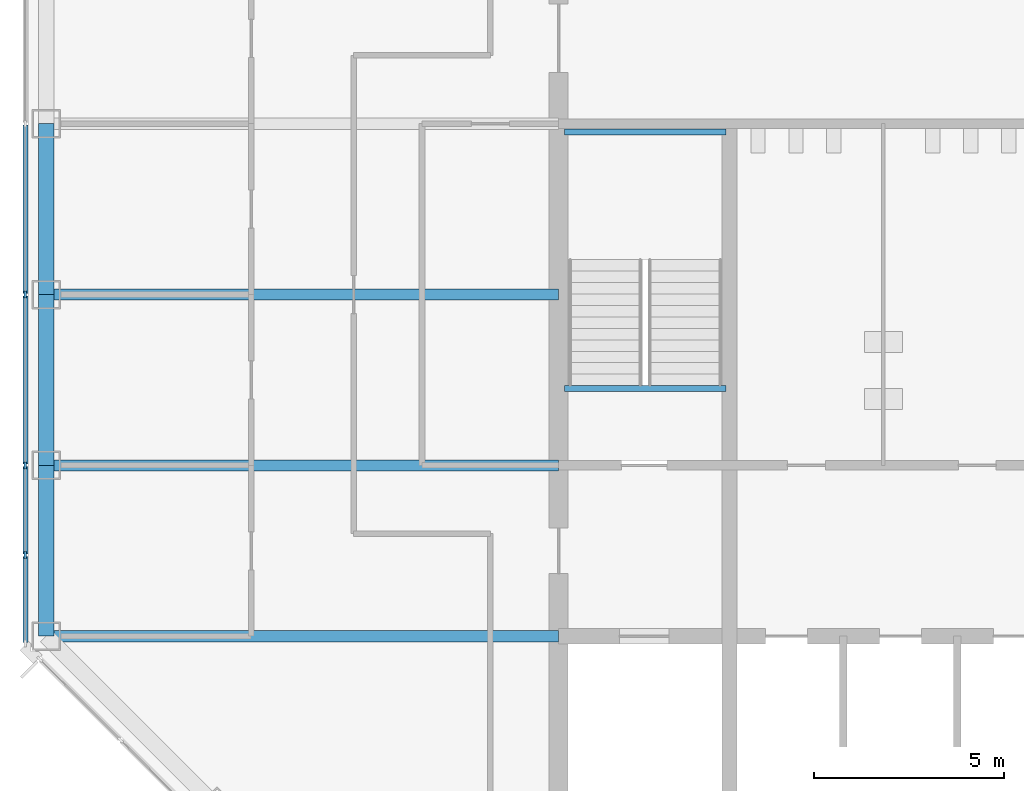
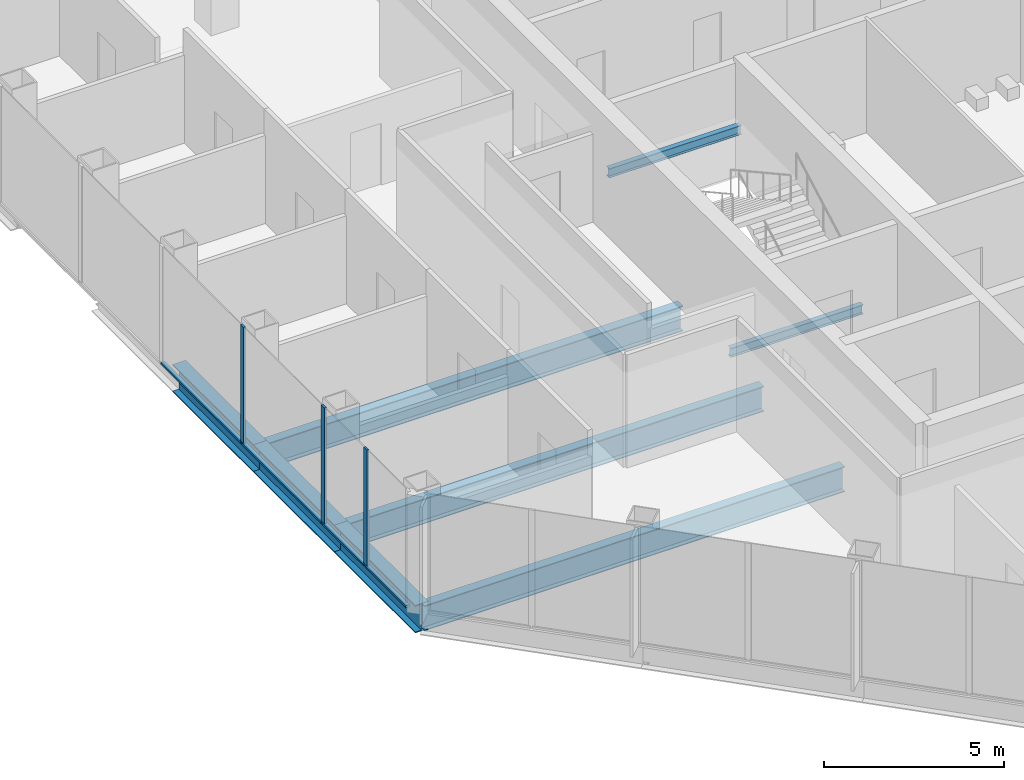
# One storey, part 3 of 13: 8 beams, 7 members, 1 element without a shape of its own.
"""IFC4 building model written with IfcOpenShell, lengths in metres."""

from ifc_helpers import new_model, si_unit, direction, frame, origin, origin_2d, place, context, subcontext, project, spatial, rectangle, i_section, extrude, material, material_profile, profile_set, type_object, element, aggregate, save


model = new_model("IFC4")

# Units and contexts
model_context = context("Model", 3, precision=1e-05, world=origin(), true_north=direction((0.0, 1.0)))
body_context = subcontext(model_context, "Body", "Model", "MODEL_VIEW")
ifc_project = project(units=[si_unit("LENGTHUNIT", "METRE"), si_unit("AREAUNIT", "SQUARE_METRE"), si_unit("VOLUMEUNIT", "CUBIC_METRE"), si_unit("PLANEANGLEUNIT", "RADIAN"), si_unit("MASSUNIT", "GRAM", prefix="KILO")], contexts=[model_context])

# Site, building, storey
site_placement = place(None, origin())
site = spatial("IfcSite", under=ifc_project, at=site_placement, CompositionType="ELEMENT")
building_placement = place(site_placement, origin())
building = spatial("IfcBuilding", under=site, at=building_placement, Name="Corais Broadcast Tower", CompositionType="ELEMENT")
storey_placement = place(building_placement, frame((0.0, 0.0, 191.60009765625)))
storey = spatial("IfcBuildingStorey", under=building, at=storey_placement, Name="L44", CompositionType="ELEMENT", Elevation=191.60009765625)

# Beams
ifc_material_1 = material(Name="Steel ASTM A572 Grade 50", Category="steel")
ifc_material_profile_1 = material_profile(ifc_material_1, i_section(OverallWidth=0.2939453125, OverallDepth=0.85107421875, WebThickness=0.01611328125, FlangeThickness=0.02685546875, at=origin_2d()), Name="W840x226")
ifc_profile_set_1 = profile_set([ifc_material_profile_1], Name="Steel ASTM A572 Grade 50")
beam_type_1 = type_object("IfcBeamType", Name="Floor beam W840x226", PredefinedType="BEAM", material=ifc_profile_set_1)
for number, where, z_axis, x_axis, name in (
    (1, (0.0, 18.0, -0.585693359375), (1.0, 0.0, 0.0), (0.0, 1.0, 0.0), "B1 E/3 to E/6"),
    (2, (0.0, 22.5, -0.585693359375), (1.0, 0.0, 0.0), (0.0, 1.0, 0.0), "B1 F/3 to F/6"),
    (3, (0.0, 27.0, -0.585693359375), (1.0, 0.0, 0.0), (0.0, 1.0, 0.0), "B1 G/3 to G/6"),
):
    element("IfcBeam", number, at=place(storey_placement, frame(where, z_axis=z_axis, x_axis=x_axis)), inside=storey, type_object=beam_type_1, Name=name, PredefinedType="BEAM", context=body_context, shape_type="SweptSolid", body=[
        extrude(i_section(OverallWidth=0.2939453125, OverallDepth=0.85107421875, WebThickness=0.01611328125, FlangeThickness=0.02685546875, at=origin_2d()), origin(), (0.0, 0.0, 1.0), 13.5),
    ])
ifc_material_2 = material(Name="Steel ASTM A572 Grade 50", Category="steel")
ifc_material_profile_2 = material_profile(ifc_material_2, i_section(OverallWidth=0.1650390625, OverallDepth=0.31005859375, WebThickness=0.005859375, FlangeThickness=0.009765625, at=origin_2d()), Name="W310x38.7")
ifc_profile_set_2 = profile_set([ifc_material_profile_2], Name="Steel ASTM A572 Grade 50")
beam_type_2 = type_object("IfcBeamType", Name="Landing trimmer W310x38.7", PredefinedType="BEAM", material=ifc_profile_set_2)
for number, where, z_axis, x_axis, name in (
    (4, (13.64990234375, 24.52490234375, -0.35498046875), (1.0, 0.0, 0.0), (0.0, 1.0, 0.0), "LT1 stair A landing trimmer L44"),
    (5, (13.64990234375, 31.284912109375, 1.64501953125), (1.0, 0.0, 0.0), (0.0, 1.0, 0.0), "LT1 stair A half landing trimmer L44"),
):
    element("IfcBeam", number, at=place(storey_placement, frame(where, z_axis=z_axis, x_axis=x_axis)), inside=storey, type_object=beam_type_2, Name=name, PredefinedType="BEAM", context=body_context, shape_type="SweptSolid", body=[
        extrude(i_section(OverallWidth=0.1650390625, OverallDepth=0.31005859375, WebThickness=0.005859375, FlangeThickness=0.009765625, at=origin_2d()), origin(), (0.0, 0.0, 1.0), 4.25),
    ])

# Curtain wall, members
ifc_material_3 = material(Name="Aluminium and glass", Category="aluminium")
curtain_wall_type = type_object("IfcCurtainWallType", Name="Unitised fritted curtain wall CW2", PredefinedType="NOTDEFINED", material=ifc_material_3)
curtain_wall_placement = place(storey_placement, origin())
curtain_wall = element("IfcCurtainWall", 6, at=curtain_wall_placement, inside=storey, type_object=curtain_wall_type, Name="CW2 curtain wall L44 2", PredefinedType="NOTDEFINED")
ifc_material_4 = material(Name="Aluminium 6063-T6", Category="aluminium")
ifc_material_profile_3 = material_profile(ifc_material_4, rectangle(XDim=0.06494140625, YDim=0.179931640625, at=origin_2d()), Name="Mullion CW2 65x180")
ifc_profile_set_3 = profile_set([ifc_material_profile_3], Name="Aluminium 6063-T6")
member_type_1 = type_object("IfcMemberType", Name="Mullion CW2 65x180", PredefinedType="MULLION", material=ifc_profile_set_3)
member_1_placement = place(storey_placement, frame((-0.550048828125, 20.135986328125, 0.0), z_axis=(0.0, 0.0, 1.0), x_axis=(-1.0, 0.0, 0.0)))
member_1 = element("IfcMember", 7, at=member_1_placement, type_object=member_type_1, Name="CW2 mullion 2", PredefinedType="MULLION", context=body_context, shape_type="SweptSolid", body=[
    extrude(rectangle(XDim=0.06494140625, YDim=0.179931640625, at=origin_2d()), origin(), (0.0, 0.0, 1.0), 4.0),
])
member_2_placement = place(storey_placement, frame((-0.550048828125, 22.5, 0.0), z_axis=(0.0, 0.0, 1.0), x_axis=(-1.0, 0.0, 0.0)))
member_2 = element("IfcMember", 8, at=member_2_placement, type_object=member_type_1, Name="CW2 mullion 3", PredefinedType="MULLION", context=body_context, shape_type="SweptSolid", body=[
    extrude(rectangle(XDim=0.06494140625, YDim=0.179931640625, at=origin_2d()), origin(), (0.0, 0.0, 1.0), 4.0),
])
member_3_placement = place(storey_placement, frame((-0.550048828125, 27.0, 0.0), z_axis=(0.0, 0.0, 1.0), x_axis=(-1.0, 0.0, 0.0)))
member_3 = element("IfcMember", 9, at=member_3_placement, type_object=member_type_1, Name="CW2 mullion 4", PredefinedType="MULLION", context=body_context, shape_type="SweptSolid", body=[
    extrude(rectangle(XDim=0.06494140625, YDim=0.179931640625, at=origin_2d()), origin(), (0.0, 0.0, 1.0), 4.0),
])

# Beams
ifc_material_5 = material(Name="Steel ASTM A572 Grade 50", Category="steel")
ifc_material_profile_4 = material_profile(ifc_material_5, i_section(OverallWidth=0.4189453125, OverallDepth=0.94189453125, WebThickness=0.022216796875, FlangeThickness=0.03662109375, at=origin_2d()), Name="W920x345")
ifc_profile_set_4 = profile_set([ifc_material_profile_4], Name="Steel ASTM A572 Grade 50")
beam_type_3 = type_object("IfcBeamType", Name="Transfer spandrel W920x345", PredefinedType="BEAM", material=ifc_profile_set_4)
for number, where, z_axis, x_axis, name in (
    (10, (0.0, 22.5, -0.631103515625), (0.0, -1.0, 0.0), (1.0, 0.0, 0.0), "SB4 F/3 to E/3"),
    (11, (0.0, 27.0, -0.631103515625), (0.0, -1.0, 0.0), (1.0, 0.0, 0.0), "SB4 G/3 to F/3"),
    (12, (0.0, 31.5, -0.631103515625), (0.0, -1.0, 0.0), (1.0, 0.0, 0.0), "SB4 H/3 to G/3"),
):
    element("IfcBeam", number, at=place(storey_placement, frame(where, z_axis=z_axis, x_axis=x_axis)), inside=storey, type_object=beam_type_3, Name=name, PredefinedType="BEAM", context=body_context, shape_type="SweptSolid", body=[
        extrude(i_section(OverallWidth=0.4189453125, OverallDepth=0.94189453125, WebThickness=0.022216796875, FlangeThickness=0.03662109375, at=origin_2d()), origin(), (0.0, 0.0, 1.0), 4.5),
    ])

# Member
ifc_material_6 = material(Name="Aluminium 6063-T6", Category="aluminium")
ifc_material_profile_5 = material_profile(ifc_material_6, rectangle(XDim=0.1298828125, YDim=0.06494140625, at=origin_2d()), Name="Transom CW2 65x130")
ifc_profile_set_5 = profile_set([ifc_material_profile_5], Name="Aluminium 6063-T6")
member_type_2 = type_object("IfcMemberType", Name="Transom CW2 65x130", PredefinedType="USERDEFINED", material=ifc_profile_set_5)
member_4_placement = place(storey_placement, frame((-0.550048828125, 17.837158203125, 0.032470703125), z_axis=(0.0, 1.0, 0.0), x_axis=(-1.0, 0.0, 0.0)))
member_4 = element("IfcMember", 13, at=member_4_placement, type_object=member_type_2, Name="CW2 transom 1.1", ObjectType="TRANSOM", PredefinedType="USERDEFINED", context=body_context, shape_type="SweptSolid", body=[
    extrude(rectangle(XDim=0.1298828125, YDim=0.06494140625, at=origin_2d()), origin(), (0.0, 0.0, 1.0), 2.266357421875),
])

member_5_placement = place(storey_placement, frame((-0.550048828125, 20.168701171875, 0.032470703125), z_axis=(0.0, 1.0, 0.0), x_axis=(-1.0, 0.0, 0.0)))
member_5 = element("IfcMember", 14, at=member_5_placement, type_object=member_type_2, Name="CW2 transom 2.1", ObjectType="TRANSOM", PredefinedType="USERDEFINED", context=body_context, shape_type="SweptSolid", body=[
    extrude(rectangle(XDim=0.1298828125, YDim=0.06494140625, at=origin_2d()), origin(), (0.0, 0.0, 1.0), 2.298828125),
])

member_6_placement = place(storey_placement, frame((-0.550048828125, 22.532470703125, 0.032470703125), z_axis=(0.0, 1.0, 0.0), x_axis=(-1.0, 0.0, 0.0)))
member_6 = element("IfcMember", 15, at=member_6_placement, type_object=member_type_2, Name="CW2 transom 3.1", ObjectType="TRANSOM", PredefinedType="USERDEFINED", context=body_context, shape_type="SweptSolid", body=[
    extrude(rectangle(XDim=0.1298828125, YDim=0.06494140625, at=origin_2d()), origin(), (0.0, 0.0, 1.0), 4.43505859375),
])

member_7_placement = place(storey_placement, frame((-0.550048828125, 27.032470703125, 0.032470703125), z_axis=(0.0, 1.0, 0.0), x_axis=(-1.0, 0.0, 0.0)))
member_7 = element("IfcMember", 16, at=member_7_placement, type_object=member_type_2, Name="CW2 transom 4.1", ObjectType="TRANSOM", PredefinedType="USERDEFINED", context=body_context, shape_type="SweptSolid", body=[
    extrude(rectangle(XDim=0.1298828125, YDim=0.06494140625, at=origin_2d()), origin(), (0.0, 0.0, 1.0), 4.43505859375),
])

aggregate(curtain_wall, [member_1, member_2, member_3, member_4, member_5, member_6, member_7])

save(model, "model.ifc")
